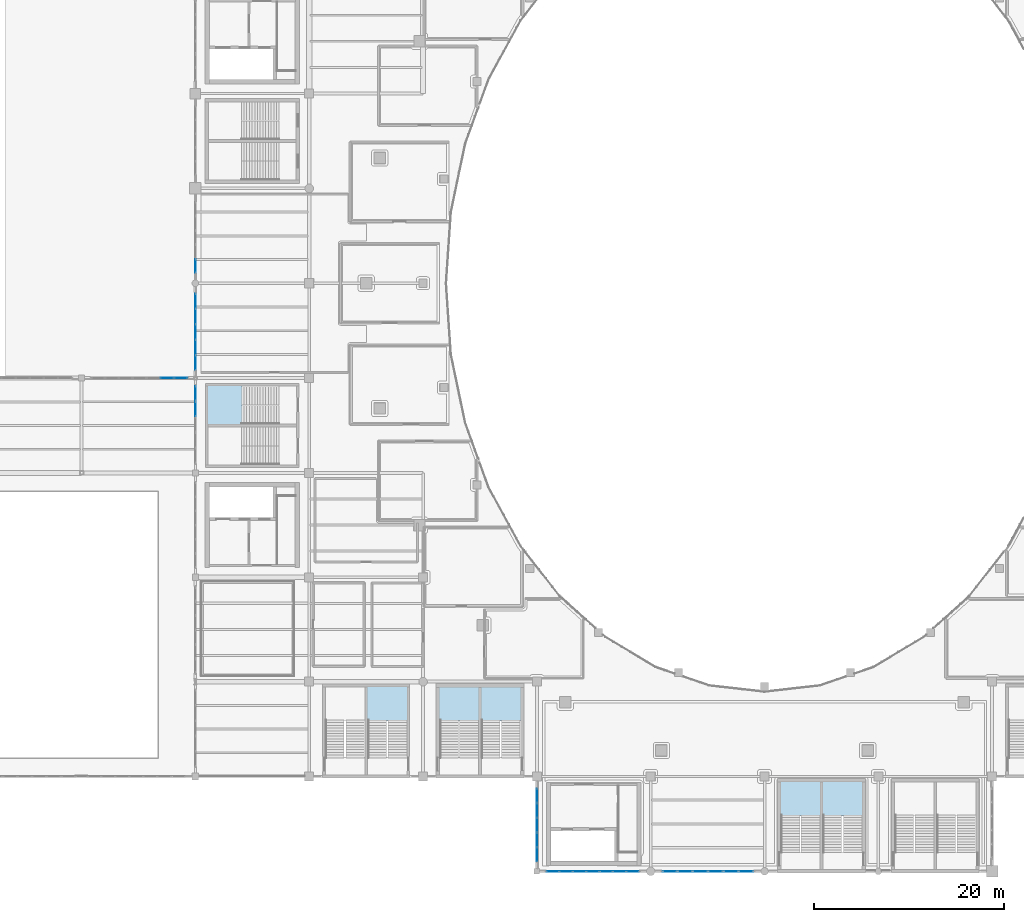
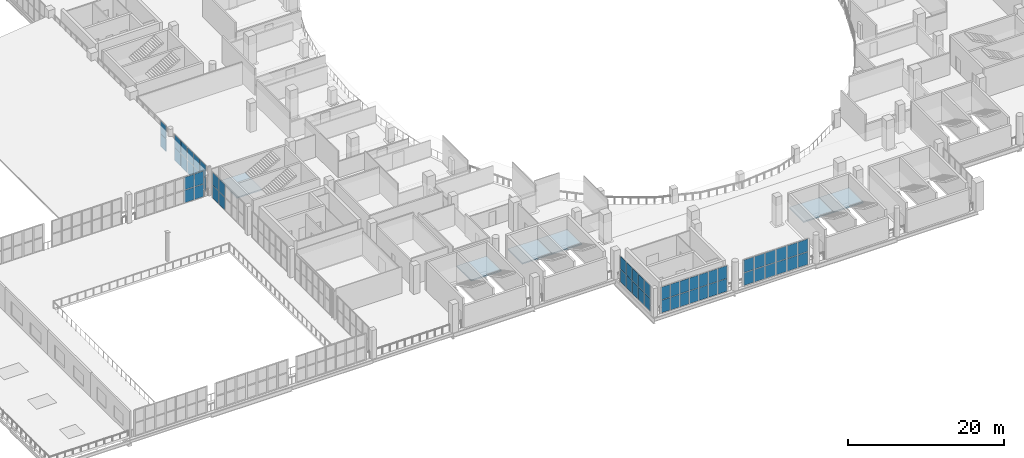
# One storey, part 52 of 90: 56 plates, 6 slabs, 13 elements without a shape of their own.
"""IFC4 building model written with IfcOpenShell, lengths in metres."""

from ifc_helpers import new_model, si_unit, direction, frame, origin, origin_2d, place, context, subcontext, project, spatial, polyline, rectangle, outline, extrude, material, layer, layer_set, type_object, element, aggregate, save


model = new_model("IFC4")

# Units and contexts
model_context = context("Model", 3, precision=1e-05, world=origin(), true_north=direction((0.0, 1.0)))
body_context = subcontext(model_context, "Body", "Model", "MODEL_VIEW")
ifc_project = project(units=[si_unit("LENGTHUNIT", "METRE"), si_unit("AREAUNIT", "SQUARE_METRE"), si_unit("VOLUMEUNIT", "CUBIC_METRE"), si_unit("PLANEANGLEUNIT", "RADIAN"), si_unit("MASSUNIT", "GRAM", prefix="KILO")], contexts=[model_context])

# Site, building, storey
site_placement = place(None, origin())
site = spatial("IfcSite", under=ifc_project, at=site_placement, CompositionType="ELEMENT")
building_placement = place(site_placement, origin())
building = spatial("IfcBuilding", under=site, at=building_placement, Name="Brinegate Civic Arena", CompositionType="ELEMENT")
storey_placement = place(building_placement, frame((0.0, 0.0, 14.699951171875)))
storey = spatial("IfcBuildingStorey", under=building, at=storey_placement, Name="L03", CompositionType="ELEMENT", Elevation=14.699951171875)

# Curtain wall, plates
ifc_material_1 = material(Name="Marine grade aluminium", Category="aluminium")
ifc_layer_1 = layer(ifc_material_1, 0.199951171875, Name="Marine grade aluminium")
ifc_layer_set_1 = layer_set([ifc_layer_1], Name="Marine grade aluminium")
curtain_wall_type_1 = type_object("IfcCurtainWallType", Name="CW-BOWL-GLAZED-01", PredefinedType="USERDEFINED", material=ifc_layer_set_1)
curtain_wall_1_placement = place(storey_placement, origin())
curtain_wall_1 = element("IfcCurtainWall", 1, at=curtain_wall_1_placement, inside=storey, type_object=curtain_wall_type_1, Name="Curtain Wall CWA-113", ObjectType="GLAZED CURTAIN WALL", PredefinedType="USERDEFINED")
ifc_material_2 = material(Name="Hurricane laminated low-E glass", Category="glass")
ifc_layer_2 = layer(ifc_material_2, 0.031982421875, Name="Hurricane laminated low-E glass")
ifc_layer_set_2 = layer_set([ifc_layer_2], Name="Hurricane laminated low-E glass")
plate_type_1 = type_object("IfcPlateType", Name="CW-PANEL-GLAZED-32", PredefinedType="CURTAIN_PANEL", material=ifc_layer_set_2)
plate_1_placement = place(storey_placement, frame((48.0, 53.629150390625, 0.065185546875), z_axis=(0.0, 0.0, 1.0), x_axis=(0.0, 1.0, 0.0)))
plate_1 = element("IfcPlate", 2, at=plate_1_placement, type_object=plate_type_1, Name="CWA-113 panel 1.1", PredefinedType="CURTAIN_PANEL", context=body_context, shape_type="SweptSolid", body=[
    extrude(rectangle(XDim=1.5341796875, YDim=0.031982421875, at=origin_2d()), origin(), (0.0, 0.0, 1.0), 1.982421875),
])
plate_2_placement = place(storey_placement, frame((48.0, 53.629150390625, 2.112548828125), z_axis=(0.0, 0.0, 1.0), x_axis=(0.0, 1.0, 0.0)))
plate_2 = element("IfcPlate", 3, at=plate_2_placement, type_object=plate_type_1, Name="CWA-113 panel 1.2", PredefinedType="CURTAIN_PANEL", context=body_context, shape_type="SweptSolid", body=[
    extrude(rectangle(XDim=1.5341796875, YDim=0.031982421875, at=origin_2d()), origin(), (0.0, 0.0, 1.0), 1.982421875),
])
plate_3_placement = place(storey_placement, frame((48.0, 55.244384765625, 0.065185546875), z_axis=(0.0, 0.0, 1.0), x_axis=(0.0, 1.0, 0.0)))
plate_3 = element("IfcPlate", 4, at=plate_3_placement, type_object=plate_type_1, Name="CWA-113 panel 2.1", PredefinedType="CURTAIN_PANEL", context=body_context, shape_type="SweptSolid", body=[
    extrude(rectangle(XDim=1.566650390625, YDim=0.031982421875, at=origin_2d()), origin(), (0.0, 0.0, 1.0), 1.982421875),
])
plate_4_placement = place(storey_placement, frame((48.0, 55.244384765625, 2.112548828125), z_axis=(0.0, 0.0, 1.0), x_axis=(0.0, 1.0, 0.0)))
plate_4 = element("IfcPlate", 5, at=plate_4_placement, type_object=plate_type_1, Name="CWA-113 panel 2.2", PredefinedType="CURTAIN_PANEL", context=body_context, shape_type="SweptSolid", body=[
    extrude(rectangle(XDim=1.566650390625, YDim=0.031982421875, at=origin_2d()), origin(), (0.0, 0.0, 1.0), 1.982421875),
])
plate_5_placement = place(storey_placement, frame((48.0, 56.8759765625, 0.065185546875), z_axis=(0.0, 0.0, 1.0), x_axis=(0.0, 1.0, 0.0)))
plate_5 = element("IfcPlate", 6, at=plate_5_placement, type_object=plate_type_1, Name="CWA-113 panel 3.1", PredefinedType="CURTAIN_PANEL", context=body_context, shape_type="SweptSolid", body=[
    extrude(rectangle(XDim=1.566650390625, YDim=0.031982421875, at=origin_2d()), origin(), (0.0, 0.0, 1.0), 1.982421875),
])
plate_6_placement = place(storey_placement, frame((48.0, 56.8759765625, 2.112548828125), z_axis=(0.0, 0.0, 1.0), x_axis=(0.0, 1.0, 0.0)))
plate_6 = element("IfcPlate", 7, at=plate_6_placement, type_object=plate_type_1, Name="CWA-113 panel 3.2", PredefinedType="CURTAIN_PANEL", context=body_context, shape_type="SweptSolid", body=[
    extrude(rectangle(XDim=1.566650390625, YDim=0.031982421875, at=origin_2d()), origin(), (0.0, 0.0, 1.0), 1.982421875),
])
plate_7_placement = place(storey_placement, frame((48.0, 58.507568359375, 0.065185546875), z_axis=(0.0, 0.0, 1.0), x_axis=(0.0, 1.0, 0.0)))
plate_7 = element("IfcPlate", 8, at=plate_7_placement, type_object=plate_type_1, Name="CWA-113 panel 4.1", PredefinedType="CURTAIN_PANEL", context=body_context, shape_type="SweptSolid", body=[
    extrude(rectangle(XDim=1.566650390625, YDim=0.031982421875, at=origin_2d()), origin(), (0.0, 0.0, 1.0), 1.982421875),
])
plate_8_placement = place(storey_placement, frame((48.0, 58.507568359375, 2.112548828125), z_axis=(0.0, 0.0, 1.0), x_axis=(0.0, 1.0, 0.0)))
plate_8 = element("IfcPlate", 9, at=plate_8_placement, type_object=plate_type_1, Name="CWA-113 panel 4.2", PredefinedType="CURTAIN_PANEL", context=body_context, shape_type="SweptSolid", body=[
    extrude(rectangle(XDim=1.566650390625, YDim=0.031982421875, at=origin_2d()), origin(), (0.0, 0.0, 1.0), 1.982421875),
])
plate_9_placement = place(storey_placement, frame((48.0, 60.123046875, 0.065185546875), z_axis=(0.0, 0.0, 1.0), x_axis=(0.0, 1.0, 0.0)))
plate_9 = element("IfcPlate", 10, at=plate_9_placement, type_object=plate_type_1, Name="CWA-113 panel 5.1", PredefinedType="CURTAIN_PANEL", context=body_context, shape_type="SweptSolid", body=[
    extrude(rectangle(XDim=1.5341796875, YDim=0.031982421875, at=origin_2d()), origin(), (0.0, 0.0, 1.0), 1.982421875),
])
plate_10_placement = place(storey_placement, frame((48.0, 60.123046875, 2.112548828125), z_axis=(0.0, 0.0, 1.0), x_axis=(0.0, 1.0, 0.0)))
plate_10 = element("IfcPlate", 11, at=plate_10_placement, type_object=plate_type_1, Name="CWA-113 panel 5.2", PredefinedType="CURTAIN_PANEL", context=body_context, shape_type="SweptSolid", body=[
    extrude(rectangle(XDim=1.5341796875, YDim=0.031982421875, at=origin_2d()), origin(), (0.0, 0.0, 1.0), 1.982421875),
])
aggregate(curtain_wall_1, [plate_1, plate_2, plate_3, plate_4, plate_5, plate_6, plate_7, plate_8, plate_9, plate_10])

ifc_layer_3 = layer(ifc_material_1, 0.25, Name="Marine grade aluminium")
ifc_layer_set_3 = layer_set([ifc_layer_3], Name="Marine grade aluminium")
curtain_wall_type_2 = type_object("IfcCurtainWallType", Name="CW-PORTAL-SOUTH-02", PredefinedType="USERDEFINED", material=ifc_layer_set_3)
curtain_wall_2_placement = place(storey_placement, origin())
curtain_wall_2 = element("IfcCurtainWall", 12, at=curtain_wall_2_placement, inside=storey, type_object=curtain_wall_type_2, Name="Curtain Wall CWA-125", ObjectType="PORTAL CURTAIN WALL", PredefinedType="USERDEFINED")
plate_11_placement = place(storey_placement, frame((85.693115234375, 0.0, 0.065185546875), z_axis=(0.0, 0.0, 1.0), x_axis=(1.0, 0.0, 0.0)))
plate_11 = element("IfcPlate", 13, at=plate_11_placement, type_object=plate_type_1, Name="CWA-125 panel 1.1", PredefinedType="CURTAIN_PANEL", context=body_context, shape_type="SweptSolid", body=[
    extrude(rectangle(XDim=1.30810546875, YDim=0.031982421875, at=origin_2d()), origin(), (0.0, 0.0, 1.0), 1.982421875),
])
plate_12_placement = place(storey_placement, frame((85.693115234375, 0.0, 2.112548828125), z_axis=(0.0, 0.0, 1.0), x_axis=(1.0, 0.0, 0.0)))
plate_12 = element("IfcPlate", 14, at=plate_12_placement, type_object=plate_type_1, Name="CWA-125 panel 1.2", PredefinedType="CURTAIN_PANEL", context=body_context, shape_type="SweptSolid", body=[
    extrude(rectangle(XDim=1.30810546875, YDim=0.031982421875, at=origin_2d()), origin(), (0.0, 0.0, 1.0), 1.982421875),
])
plate_13_placement = place(storey_placement, frame((87.08251953125, 0.0, 0.065185546875), z_axis=(0.0, 0.0, 1.0), x_axis=(1.0, 0.0, 0.0)))
plate_13 = element("IfcPlate", 15, at=plate_13_placement, type_object=plate_type_1, Name="CWA-125 panel 2.1", PredefinedType="CURTAIN_PANEL", context=body_context, shape_type="SweptSolid", body=[
    extrude(rectangle(XDim=1.3408203125, YDim=0.031982421875, at=origin_2d()), origin(), (0.0, 0.0, 1.0), 1.982421875),
])
plate_14_placement = place(storey_placement, frame((87.08251953125, 0.0, 2.112548828125), z_axis=(0.0, 0.0, 1.0), x_axis=(1.0, 0.0, 0.0)))
plate_14 = element("IfcPlate", 16, at=plate_14_placement, type_object=plate_type_1, Name="CWA-125 panel 2.2", PredefinedType="CURTAIN_PANEL", context=body_context, shape_type="SweptSolid", body=[
    extrude(rectangle(XDim=1.3408203125, YDim=0.031982421875, at=origin_2d()), origin(), (0.0, 0.0, 1.0), 1.982421875),
])
plate_15_placement = place(storey_placement, frame((88.48828125, 0.0, 0.065185546875), z_axis=(0.0, 0.0, 1.0), x_axis=(1.0, 0.0, 0.0)))
plate_15 = element("IfcPlate", 17, at=plate_15_placement, type_object=plate_type_1, Name="CWA-125 panel 3.1", PredefinedType="CURTAIN_PANEL", context=body_context, shape_type="SweptSolid", body=[
    extrude(rectangle(XDim=1.3408203125, YDim=0.031982421875, at=origin_2d()), origin(), (0.0, 0.0, 1.0), 1.982421875),
])
plate_16_placement = place(storey_placement, frame((88.48828125, 0.0, 2.112548828125), z_axis=(0.0, 0.0, 1.0), x_axis=(1.0, 0.0, 0.0)))
plate_16 = element("IfcPlate", 18, at=plate_16_placement, type_object=plate_type_1, Name="CWA-125 panel 3.2", PredefinedType="CURTAIN_PANEL", context=body_context, shape_type="SweptSolid", body=[
    extrude(rectangle(XDim=1.3408203125, YDim=0.031982421875, at=origin_2d()), origin(), (0.0, 0.0, 1.0), 1.982421875),
])
plate_17_placement = place(storey_placement, frame((89.89404296875, 0.0, 0.065185546875), z_axis=(0.0, 0.0, 1.0), x_axis=(1.0, 0.0, 0.0)))
plate_17 = element("IfcPlate", 19, at=plate_17_placement, type_object=plate_type_1, Name="CWA-125 panel 4.1", PredefinedType="CURTAIN_PANEL", context=body_context, shape_type="SweptSolid", body=[
    extrude(rectangle(XDim=1.3408203125, YDim=0.031982421875, at=origin_2d()), origin(), (0.0, 0.0, 1.0), 1.982421875),
])
plate_18_placement = place(storey_placement, frame((89.89404296875, 0.0, 2.112548828125), z_axis=(0.0, 0.0, 1.0), x_axis=(1.0, 0.0, 0.0)))
plate_18 = element("IfcPlate", 20, at=plate_18_placement, type_object=plate_type_1, Name="CWA-125 panel 4.2", PredefinedType="CURTAIN_PANEL", context=body_context, shape_type="SweptSolid", body=[
    extrude(rectangle(XDim=1.3408203125, YDim=0.031982421875, at=origin_2d()), origin(), (0.0, 0.0, 1.0), 1.982421875),
])
plate_19_placement = place(storey_placement, frame((91.2998046875, 0.0, 0.065185546875), z_axis=(0.0, 0.0, 1.0), x_axis=(1.0, 0.0, 0.0)))
plate_19 = element("IfcPlate", 21, at=plate_19_placement, type_object=plate_type_1, Name="CWA-125 panel 5.1", PredefinedType="CURTAIN_PANEL", context=body_context, shape_type="SweptSolid", body=[
    extrude(rectangle(XDim=1.3408203125, YDim=0.031982421875, at=origin_2d()), origin(), (0.0, 0.0, 1.0), 1.982421875),
])
plate_20_placement = place(storey_placement, frame((91.2998046875, 0.0, 2.112548828125), z_axis=(0.0, 0.0, 1.0), x_axis=(1.0, 0.0, 0.0)))
plate_20 = element("IfcPlate", 22, at=plate_20_placement, type_object=plate_type_1, Name="CWA-125 panel 5.2", PredefinedType="CURTAIN_PANEL", context=body_context, shape_type="SweptSolid", body=[
    extrude(rectangle(XDim=1.3408203125, YDim=0.031982421875, at=origin_2d()), origin(), (0.0, 0.0, 1.0), 1.982421875),
])
plate_21_placement = place(storey_placement, frame((92.705322265625, 0.0, 0.065185546875), z_axis=(0.0, 0.0, 1.0), x_axis=(1.0, 0.0, 0.0)))
plate_21 = element("IfcPlate", 23, at=plate_21_placement, type_object=plate_type_1, Name="CWA-125 panel 6.1", PredefinedType="CURTAIN_PANEL", context=body_context, shape_type="SweptSolid", body=[
    extrude(rectangle(XDim=1.3408203125, YDim=0.031982421875, at=origin_2d()), origin(), (0.0, 0.0, 1.0), 1.982421875),
])
plate_22_placement = place(storey_placement, frame((92.705322265625, 0.0, 2.112548828125), z_axis=(0.0, 0.0, 1.0), x_axis=(1.0, 0.0, 0.0)))
plate_22 = element("IfcPlate", 24, at=plate_22_placement, type_object=plate_type_1, Name="CWA-125 panel 6.2", PredefinedType="CURTAIN_PANEL", context=body_context, shape_type="SweptSolid", body=[
    extrude(rectangle(XDim=1.3408203125, YDim=0.031982421875, at=origin_2d()), origin(), (0.0, 0.0, 1.0), 1.982421875),
])
plate_23_placement = place(storey_placement, frame((94.094970703125, 0.0, 0.065185546875), z_axis=(0.0, 0.0, 1.0), x_axis=(1.0, 0.0, 0.0)))
plate_23 = element("IfcPlate", 25, at=plate_23_placement, type_object=plate_type_1, Name="CWA-125 panel 7.1", PredefinedType="CURTAIN_PANEL", context=body_context, shape_type="SweptSolid", body=[
    extrude(rectangle(XDim=1.30810546875, YDim=0.031982421875, at=origin_2d()), origin(), (0.0, 0.0, 1.0), 1.982421875),
])
plate_24_placement = place(storey_placement, frame((94.094970703125, 0.0, 2.112548828125), z_axis=(0.0, 0.0, 1.0), x_axis=(1.0, 0.0, 0.0)))
plate_24 = element("IfcPlate", 26, at=plate_24_placement, type_object=plate_type_1, Name="CWA-125 panel 7.2", PredefinedType="CURTAIN_PANEL", context=body_context, shape_type="SweptSolid", body=[
    extrude(rectangle(XDim=1.30810546875, YDim=0.031982421875, at=origin_2d()), origin(), (0.0, 0.0, 1.0), 1.982421875),
])
aggregate(curtain_wall_2, [plate_11, plate_12, plate_13, plate_14, plate_15, plate_16, plate_17, plate_18, plate_19, plate_20, plate_21, plate_22, plate_23, plate_24])

ifc_layer_4 = layer(ifc_material_1, 0.18505859375, Name="Marine grade aluminium")
ifc_layer_set_4 = layer_set([ifc_layer_4], Name="Marine grade aluminium")
curtain_wall_type_3 = type_object("IfcCurtainWallType", Name="CW-WING-GLAZED-03", PredefinedType="USERDEFINED", material=ifc_layer_set_4)
curtain_wall_3_placement = place(storey_placement, origin())
curtain_wall_3 = element("IfcCurtainWall", 27, at=curtain_wall_3_placement, inside=storey, type_object=curtain_wall_type_3, Name="Curtain Wall CWA-032", ObjectType="GLAZED CURTAIN WALL", PredefinedType="USERDEFINED")
ifc_layer_5 = layer(ifc_material_2, 0.035888671875, Name="Hurricane laminated low-E glass")
ifc_layer_set_5 = layer_set([ifc_layer_5], Name="Hurricane laminated low-E glass")
plate_type_2 = type_object("IfcPlateType", Name="CW-PANEL-GLAZED-36", PredefinedType="CURTAIN_PANEL", material=ifc_layer_set_5)
plate_25_placement = place(storey_placement, frame((45.018798828125, 52.0, 0.0751953125), z_axis=(0.0, 0.0, 1.0), x_axis=(1.0, 0.0, 0.0)))
plate_25 = element("IfcPlate", 28, at=plate_25_placement, type_object=plate_type_2, Name="CWA-032 panel 6.1", PredefinedType="CURTAIN_PANEL", context=body_context, shape_type="SweptSolid", body=[
    extrude(rectangle(XDim=1.381103515625, YDim=0.035888671875, at=origin_2d()), origin(), (0.0, 0.0, 1.0), 1.967529296875),
])
plate_26_placement = place(storey_placement, frame((45.018798828125, 52.0, 2.11767578125), z_axis=(0.0, 0.0, 1.0), x_axis=(1.0, 0.0, 0.0)))
plate_26 = element("IfcPlate", 29, at=plate_26_placement, type_object=plate_type_2, Name="CWA-032 panel 6.2", PredefinedType="CURTAIN_PANEL", context=body_context, shape_type="SweptSolid", body=[
    extrude(rectangle(XDim=1.381103515625, YDim=0.035888671875, at=origin_2d()), origin(), (0.0, 0.0, 1.0), 1.967529296875),
])
plate_27_placement = place(storey_placement, frame((46.456298828125, 52.0, 0.0751953125), z_axis=(0.0, 0.0, 1.0), x_axis=(1.0, 0.0, 0.0)))
plate_27 = element("IfcPlate", 30, at=plate_27_placement, type_object=plate_type_2, Name="CWA-032 panel 7.1", PredefinedType="CURTAIN_PANEL", context=body_context, shape_type="SweptSolid", body=[
    extrude(rectangle(XDim=1.34375, YDim=0.035888671875, at=origin_2d()), origin(), (0.0, 0.0, 1.0), 1.967529296875),
])
plate_28_placement = place(storey_placement, frame((46.456298828125, 52.0, 2.11767578125), z_axis=(0.0, 0.0, 1.0), x_axis=(1.0, 0.0, 0.0)))
plate_28 = element("IfcPlate", 31, at=plate_28_placement, type_object=plate_type_2, Name="CWA-032 panel 7.2", PredefinedType="CURTAIN_PANEL", context=body_context, shape_type="SweptSolid", body=[
    extrude(rectangle(XDim=1.34375, YDim=0.035888671875, at=origin_2d()), origin(), (0.0, 0.0, 1.0), 1.967529296875),
])
aggregate(curtain_wall_3, [plate_25, plate_26, plate_27, plate_28])

curtain_wall_4_placement = place(storey_placement, origin())
curtain_wall_4 = element("IfcCurtainWall", 32, at=curtain_wall_4_placement, inside=storey, type_object=curtain_wall_type_2, Name="Curtain Wall CWA-130", ObjectType="PORTAL CURTAIN WALL", PredefinedType="USERDEFINED")
plate_29_placement = place(storey_placement, frame((84.0, 1.773193359375, 0.065185546875), z_axis=(0.0, 0.0, 1.0), x_axis=(0.0, 1.0, 0.0)))
plate_29 = element("IfcPlate", 33, at=plate_29_placement, type_object=plate_type_2, Name="CWA-130 panel 1.1", PredefinedType="CURTAIN_PANEL", context=body_context, shape_type="SweptSolid", body=[
    extrude(rectangle(XDim=1.4482421875, YDim=0.035888671875, at=origin_2d()), origin(), (0.0, 0.0, 1.0), 1.982421875),
])
plate_30_placement = place(storey_placement, frame((84.0, 1.773193359375, 2.112548828125), z_axis=(0.0, 0.0, 1.0), x_axis=(0.0, 1.0, 0.0)))
plate_30 = element("IfcPlate", 34, at=plate_30_placement, type_object=plate_type_2, Name="CWA-130 panel 1.2", PredefinedType="CURTAIN_PANEL", context=body_context, shape_type="SweptSolid", body=[
    extrude(rectangle(XDim=1.4482421875, YDim=0.035888671875, at=origin_2d()), origin(), (0.0, 0.0, 1.0), 1.982421875),
])
plate_31_placement = place(storey_placement, frame((84.0, 3.315185546875, 0.065185546875), z_axis=(0.0, 0.0, 1.0), x_axis=(0.0, 1.0, 0.0)))
plate_31 = element("IfcPlate", 35, at=plate_31_placement, type_object=plate_type_2, Name="CWA-130 panel 2.1", PredefinedType="CURTAIN_PANEL", context=body_context, shape_type="SweptSolid", body=[
    extrude(rectangle(XDim=1.48583984375, YDim=0.035888671875, at=origin_2d()), origin(), (0.0, 0.0, 1.0), 1.982421875),
])
plate_32_placement = place(storey_placement, frame((84.0, 3.315185546875, 2.112548828125), z_axis=(0.0, 0.0, 1.0), x_axis=(0.0, 1.0, 0.0)))
plate_32 = element("IfcPlate", 36, at=plate_32_placement, type_object=plate_type_2, Name="CWA-130 panel 2.2", PredefinedType="CURTAIN_PANEL", context=body_context, shape_type="SweptSolid", body=[
    extrude(rectangle(XDim=1.48583984375, YDim=0.035888671875, at=origin_2d()), origin(), (0.0, 0.0, 1.0), 1.982421875),
])
plate_33_placement = place(storey_placement, frame((84.0, 4.8759765625, 0.065185546875), z_axis=(0.0, 0.0, 1.0), x_axis=(0.0, 1.0, 0.0)))
plate_33 = element("IfcPlate", 37, at=plate_33_placement, type_object=plate_type_2, Name="CWA-130 panel 3.1", PredefinedType="CURTAIN_PANEL", context=body_context, shape_type="SweptSolid", body=[
    extrude(rectangle(XDim=1.48583984375, YDim=0.035888671875, at=origin_2d()), origin(), (0.0, 0.0, 1.0), 1.982421875),
])
plate_34_placement = place(storey_placement, frame((84.0, 4.8759765625, 2.112548828125), z_axis=(0.0, 0.0, 1.0), x_axis=(0.0, 1.0, 0.0)))
plate_34 = element("IfcPlate", 38, at=plate_34_placement, type_object=plate_type_2, Name="CWA-130 panel 3.2", PredefinedType="CURTAIN_PANEL", context=body_context, shape_type="SweptSolid", body=[
    extrude(rectangle(XDim=1.48583984375, YDim=0.035888671875, at=origin_2d()), origin(), (0.0, 0.0, 1.0), 1.982421875),
])
plate_35_placement = place(storey_placement, frame((84.0, 6.436767578125, 0.065185546875), z_axis=(0.0, 0.0, 1.0), x_axis=(0.0, 1.0, 0.0)))
plate_35 = element("IfcPlate", 39, at=plate_35_placement, type_object=plate_type_2, Name="CWA-130 panel 4.1", PredefinedType="CURTAIN_PANEL", context=body_context, shape_type="SweptSolid", body=[
    extrude(rectangle(XDim=1.48583984375, YDim=0.035888671875, at=origin_2d()), origin(), (0.0, 0.0, 1.0), 1.982421875),
])
plate_36_placement = place(storey_placement, frame((84.0, 6.436767578125, 2.112548828125), z_axis=(0.0, 0.0, 1.0), x_axis=(0.0, 1.0, 0.0)))
plate_36 = element("IfcPlate", 40, at=plate_36_placement, type_object=plate_type_2, Name="CWA-130 panel 4.2", PredefinedType="CURTAIN_PANEL", context=body_context, shape_type="SweptSolid", body=[
    extrude(rectangle(XDim=1.48583984375, YDim=0.035888671875, at=origin_2d()), origin(), (0.0, 0.0, 1.0), 1.982421875),
])
plate_37_placement = place(storey_placement, frame((84.0, 7.978759765625, 0.065185546875), z_axis=(0.0, 0.0, 1.0), x_axis=(0.0, 1.0, 0.0)))
plate_37 = element("IfcPlate", 41, at=plate_37_placement, type_object=plate_type_2, Name="CWA-130 panel 5.1", PredefinedType="CURTAIN_PANEL", context=body_context, shape_type="SweptSolid", body=[
    extrude(rectangle(XDim=1.4482421875, YDim=0.035888671875, at=origin_2d()), origin(), (0.0, 0.0, 1.0), 1.982421875),
])
plate_38_placement = place(storey_placement, frame((84.0, 7.978759765625, 2.112548828125), z_axis=(0.0, 0.0, 1.0), x_axis=(0.0, 1.0, 0.0)))
plate_38 = element("IfcPlate", 42, at=plate_38_placement, type_object=plate_type_2, Name="CWA-130 panel 5.2", PredefinedType="CURTAIN_PANEL", context=body_context, shape_type="SweptSolid", body=[
    extrude(rectangle(XDim=1.4482421875, YDim=0.035888671875, at=origin_2d()), origin(), (0.0, 0.0, 1.0), 1.982421875),
])
aggregate(curtain_wall_4, [plate_29, plate_30, plate_31, plate_32, plate_33, plate_34, plate_35, plate_36, plate_37, plate_38])

curtain_wall_5_placement = place(storey_placement, origin())
curtain_wall_5 = element("IfcCurtainWall", 43, at=curtain_wall_5_placement, inside=storey, type_object=curtain_wall_type_1, Name="Curtain Wall CWA-111", ObjectType="GLAZED CURTAIN WALL", PredefinedType="USERDEFINED")
ifc_layer_6 = layer(ifc_material_2, 0.0419921875, Name="Hurricane laminated low-E glass")
ifc_layer_set_6 = layer_set([ifc_layer_6], Name="Hurricane laminated low-E glass")
plate_type_3 = type_object("IfcPlateType", Name="CW-PANEL-SPANDREL-42", PredefinedType="CURTAIN_PANEL", material=ifc_layer_set_6)
plate_39_placement = place(storey_placement, frame((48.0, 48.7451171875, 0.065185546875), z_axis=(0.0, 0.0, 1.0), x_axis=(0.0, 1.0, 0.0)))
plate_39 = element("IfcPlate", 44, at=plate_39_placement, type_object=plate_type_3, Name="CWA-111 panel 4.1", PredefinedType="CURTAIN_PANEL", context=body_context, shape_type="SweptSolid", body=[
    extrude(rectangle(XDim=1.55859375, YDim=0.0419921875, at=origin_2d()), origin(), (0.0, 0.0, 1.0), 1.982421875),
])
plate_40_placement = place(storey_placement, frame((48.0, 48.7451171875, 2.112548828125), z_axis=(0.0, 0.0, 1.0), x_axis=(0.0, 1.0, 0.0)))
plate_40 = element("IfcPlate", 45, at=plate_40_placement, type_object=plate_type_3, Name="CWA-111 panel 4.2", PredefinedType="CURTAIN_PANEL", context=body_context, shape_type="SweptSolid", body=[
    extrude(rectangle(XDim=1.55859375, YDim=0.0419921875, at=origin_2d()), origin(), (0.0, 0.0, 1.0), 1.982421875),
])
plate_41_placement = place(storey_placement, frame((48.0, 50.36376953125, 0.065185546875), z_axis=(0.0, 0.0, 1.0), x_axis=(0.0, 1.0, 0.0)))
plate_41 = element("IfcPlate", 46, at=plate_41_placement, type_object=plate_type_3, Name="CWA-111 panel 5.1", PredefinedType="CURTAIN_PANEL", context=body_context, shape_type="SweptSolid", body=[
    extrude(rectangle(XDim=1.5185546875, YDim=0.0419921875, at=origin_2d()), origin(), (0.0, 0.0, 1.0), 1.982421875),
])
plate_42_placement = place(storey_placement, frame((48.0, 50.36376953125, 2.112548828125), z_axis=(0.0, 0.0, 1.0), x_axis=(0.0, 1.0, 0.0)))
plate_42 = element("IfcPlate", 47, at=plate_42_placement, type_object=plate_type_3, Name="CWA-111 panel 5.2", PredefinedType="CURTAIN_PANEL", context=body_context, shape_type="SweptSolid", body=[
    extrude(rectangle(XDim=1.5185546875, YDim=0.0419921875, at=origin_2d()), origin(), (0.0, 0.0, 1.0), 1.982421875),
])
aggregate(curtain_wall_5, [plate_39, plate_40, plate_41, plate_42])

curtain_wall_6_placement = place(storey_placement, origin())
curtain_wall_6 = element("IfcCurtainWall", 48, at=curtain_wall_6_placement, inside=storey, type_object=curtain_wall_type_1, Name="Curtain Wall CWA-115", ObjectType="GLAZED CURTAIN WALL", PredefinedType="USERDEFINED")
plate_43_placement = place(storey_placement, frame((48.0, 63.820556640625, 0.0751953125), z_axis=(0.0, 0.0, 1.0), x_axis=(0.0, 1.0, 0.0)))
plate_43 = element("IfcPlate", 49, at=plate_43_placement, type_object=plate_type_3, Name="CWA-115 panel 1.1", PredefinedType="CURTAIN_PANEL", context=body_context, shape_type="SweptSolid", body=[
    extrude(rectangle(XDim=1.39111328125, YDim=0.0419921875, at=origin_2d()), origin(), (0.0, 0.0, 1.0), 1.967529296875),
])
plate_44_placement = place(storey_placement, frame((48.0, 63.820556640625, 2.11767578125), z_axis=(0.0, 0.0, 1.0), x_axis=(0.0, 1.0, 0.0)))
plate_44 = element("IfcPlate", 50, at=plate_44_placement, type_object=plate_type_3, Name="CWA-115 panel 1.2", PredefinedType="CURTAIN_PANEL", context=body_context, shape_type="SweptSolid", body=[
    extrude(rectangle(XDim=1.39111328125, YDim=0.0419921875, at=origin_2d()), origin(), (0.0, 0.0, 1.0), 1.967529296875),
])
aggregate(curtain_wall_6, [plate_43, plate_44])

curtain_wall_7_placement = place(storey_placement, origin())
curtain_wall_7 = element("IfcCurtainWall", 51, at=curtain_wall_7_placement, inside=storey, type_object=curtain_wall_type_2, Name="Curtain Wall CWA-127", ObjectType="PORTAL CURTAIN WALL", PredefinedType="USERDEFINED")
plate_45_placement = place(storey_placement, frame((98.01416015625, 0.0, 0.0751953125), z_axis=(0.0, 0.0, 1.0), x_axis=(1.0, 0.0, 0.0)))
plate_45 = element("IfcPlate", 52, at=plate_45_placement, type_object=plate_type_3, Name="CWA-127 panel 1.1", PredefinedType="CURTAIN_PANEL", context=body_context, shape_type="SweptSolid", body=[
    extrude(rectangle(XDim=1.496337890625, YDim=0.0419921875, at=origin_2d()), origin(), (0.0, 0.0, 1.0), 1.967529296875),
])
plate_46_placement = place(storey_placement, frame((98.01416015625, 0.0, 2.11767578125), z_axis=(0.0, 0.0, 1.0), x_axis=(1.0, 0.0, 0.0)))
plate_46 = element("IfcPlate", 53, at=plate_46_placement, type_object=plate_type_3, Name="CWA-127 panel 1.2", PredefinedType="CURTAIN_PANEL", context=body_context, shape_type="SweptSolid", body=[
    extrude(rectangle(XDim=1.496337890625, YDim=0.0419921875, at=origin_2d()), origin(), (0.0, 0.0, 1.0), 1.967529296875),
])
plate_47_placement = place(storey_placement, frame((99.610595703125, 0.0, 0.0751953125), z_axis=(0.0, 0.0, 1.0), x_axis=(1.0, 0.0, 0.0)))
plate_47 = element("IfcPlate", 54, at=plate_47_placement, type_object=plate_type_3, Name="CWA-127 panel 2.1", PredefinedType="CURTAIN_PANEL", context=body_context, shape_type="SweptSolid", body=[
    extrude(rectangle(XDim=1.536376953125, YDim=0.0419921875, at=origin_2d()), origin(), (0.0, 0.0, 1.0), 1.967529296875),
])
plate_48_placement = place(storey_placement, frame((99.610595703125, 0.0, 2.11767578125), z_axis=(0.0, 0.0, 1.0), x_axis=(1.0, 0.0, 0.0)))
plate_48 = element("IfcPlate", 55, at=plate_48_placement, type_object=plate_type_3, Name="CWA-127 panel 2.2", PredefinedType="CURTAIN_PANEL", context=body_context, shape_type="SweptSolid", body=[
    extrude(rectangle(XDim=1.536376953125, YDim=0.0419921875, at=origin_2d()), origin(), (0.0, 0.0, 1.0), 1.967529296875),
])
plate_49_placement = place(storey_placement, frame((101.226806640625, 0.0, 0.0751953125), z_axis=(0.0, 0.0, 1.0), x_axis=(1.0, 0.0, 0.0)))
plate_49 = element("IfcPlate", 56, at=plate_49_placement, type_object=plate_type_3, Name="CWA-127 panel 3.1", PredefinedType="CURTAIN_PANEL", context=body_context, shape_type="SweptSolid", body=[
    extrude(rectangle(XDim=1.536376953125, YDim=0.0419921875, at=origin_2d()), origin(), (0.0, 0.0, 1.0), 1.967529296875),
])
plate_50_placement = place(storey_placement, frame((101.226806640625, 0.0, 2.11767578125), z_axis=(0.0, 0.0, 1.0), x_axis=(1.0, 0.0, 0.0)))
plate_50 = element("IfcPlate", 57, at=plate_50_placement, type_object=plate_type_3, Name="CWA-127 panel 3.2", PredefinedType="CURTAIN_PANEL", context=body_context, shape_type="SweptSolid", body=[
    extrude(rectangle(XDim=1.536376953125, YDim=0.0419921875, at=origin_2d()), origin(), (0.0, 0.0, 1.0), 1.967529296875),
])
plate_51_placement = place(storey_placement, frame((102.84326171875, 0.0, 0.0751953125), z_axis=(0.0, 0.0, 1.0), x_axis=(1.0, 0.0, 0.0)))
plate_51 = element("IfcPlate", 58, at=plate_51_placement, type_object=plate_type_3, Name="CWA-127 panel 4.1", PredefinedType="CURTAIN_PANEL", context=body_context, shape_type="SweptSolid", body=[
    extrude(rectangle(XDim=1.536376953125, YDim=0.0419921875, at=origin_2d()), origin(), (0.0, 0.0, 1.0), 1.967529296875),
])
plate_52_placement = place(storey_placement, frame((102.84326171875, 0.0, 2.11767578125), z_axis=(0.0, 0.0, 1.0), x_axis=(1.0, 0.0, 0.0)))
plate_52 = element("IfcPlate", 59, at=plate_52_placement, type_object=plate_type_3, Name="CWA-127 panel 4.2", PredefinedType="CURTAIN_PANEL", context=body_context, shape_type="SweptSolid", body=[
    extrude(rectangle(XDim=1.536376953125, YDim=0.0419921875, at=origin_2d()), origin(), (0.0, 0.0, 1.0), 1.967529296875),
])
plate_53_placement = place(storey_placement, frame((104.45947265625, 0.0, 0.0751953125), z_axis=(0.0, 0.0, 1.0), x_axis=(1.0, 0.0, 0.0)))
plate_53 = element("IfcPlate", 60, at=plate_53_placement, type_object=plate_type_3, Name="CWA-127 panel 5.1", PredefinedType="CURTAIN_PANEL", context=body_context, shape_type="SweptSolid", body=[
    extrude(rectangle(XDim=1.536376953125, YDim=0.0419921875, at=origin_2d()), origin(), (0.0, 0.0, 1.0), 1.967529296875),
])
plate_54_placement = place(storey_placement, frame((104.45947265625, 0.0, 2.11767578125), z_axis=(0.0, 0.0, 1.0), x_axis=(1.0, 0.0, 0.0)))
plate_54 = element("IfcPlate", 61, at=plate_54_placement, type_object=plate_type_3, Name="CWA-127 panel 5.2", PredefinedType="CURTAIN_PANEL", context=body_context, shape_type="SweptSolid", body=[
    extrude(rectangle(XDim=1.536376953125, YDim=0.0419921875, at=origin_2d()), origin(), (0.0, 0.0, 1.0), 1.967529296875),
])
plate_55_placement = place(storey_placement, frame((106.055908203125, 0.0, 0.0751953125), z_axis=(0.0, 0.0, 1.0), x_axis=(1.0, 0.0, 0.0)))
plate_55 = element("IfcPlate", 62, at=plate_55_placement, type_object=plate_type_3, Name="CWA-127 panel 6.1", PredefinedType="CURTAIN_PANEL", context=body_context, shape_type="SweptSolid", body=[
    extrude(rectangle(XDim=1.496337890625, YDim=0.0419921875, at=origin_2d()), origin(), (0.0, 0.0, 1.0), 1.967529296875),
])
plate_56_placement = place(storey_placement, frame((106.055908203125, 0.0, 2.11767578125), z_axis=(0.0, 0.0, 1.0), x_axis=(1.0, 0.0, 0.0)))
plate_56 = element("IfcPlate", 63, at=plate_56_placement, type_object=plate_type_3, Name="CWA-127 panel 6.2", PredefinedType="CURTAIN_PANEL", context=body_context, shape_type="SweptSolid", body=[
    extrude(rectangle(XDim=1.496337890625, YDim=0.0419921875, at=origin_2d()), origin(), (0.0, 0.0, 1.0), 1.967529296875),
])
aggregate(curtain_wall_7, [plate_45, plate_46, plate_47, plate_48, plate_49, plate_50, plate_51, plate_52, plate_53, plate_54, plate_55, plate_56])

# Stair, slab
ifc_material_3 = material(Name="Concrete C40/50", Category="concrete")
stair_type_1 = type_object("IfcStairType", Name="STAIR-EXIT-3700", PredefinedType="HALF_TURN_STAIR", material=ifc_material_3)
stair_1_placement = place(storey_placement, origin())
stair_1 = element("IfcStair", 64, at=stair_1_placement, inside=storey, type_object=stair_type_1, Name="Protected Exit Stair ST-02B (L03)", PredefinedType="HALF_TURN_STAIR")
ifc_layer_7 = layer(ifc_material_3, 0.199951171875, Name="Concrete C40/50")
ifc_layer_set_7 = layer_set([ifc_layer_7], Name="Concrete C40/50")
slab_type = type_object("IfcSlabType", Name="SLAB-LANDING-200", PredefinedType="LANDING", material=ifc_layer_set_7)
slab_1_placement = place(storey_placement, frame((0.0, 0.0, 2.050048828125)))
slab_1 = element("IfcSlab", 65, at=slab_1_placement, type_object=slab_type, Name="ST-02B landing 1", PredefinedType="LANDING", context=body_context, shape_type="SweptSolid", body=[
    extrude(outline(polyline([(65.9951171875, 15.8798828125), (70.455078125, 15.8798828125), (70.455078125, 19.60009765625), (65.9951171875, 19.60009765625), (65.9951171875, 15.8798828125)])), origin(), (0.0, 0.0, 1.0), 0.199951171875),
])
aggregate(stair_1, [slab_1])

stair_2_placement = place(storey_placement, origin())
stair_2 = element("IfcStair", 66, at=stair_2_placement, inside=storey, type_object=stair_type_1, Name="Protected Exit Stair ST-08B (L03)", PredefinedType="HALF_TURN_STAIR")
slab_2_placement = place(storey_placement, frame((0.0, 0.0, 2.050048828125)))
slab_2 = element("IfcSlab", 67, at=slab_2_placement, type_object=slab_type, Name="ST-08B landing 1", PredefinedType="LANDING", context=body_context, shape_type="SweptSolid", body=[
    extrude(outline(polyline([(49.199951171875, 46.9951171875), (52.919921875, 46.9951171875), (52.919921875, 51.304931640625), (49.199951171875, 51.304931640625), (49.199951171875, 46.9951171875)])), origin(), (0.0, 0.0, 1.0), 0.199951171875),
])
aggregate(stair_2, [slab_2])

stair_type_2 = type_object("IfcStairType", Name="STAIR-EXIT-3850", PredefinedType="HALF_TURN_STAIR", material=ifc_material_3)
stair_3_placement = place(storey_placement, origin())
stair_3 = element("IfcStair", 68, at=stair_3_placement, inside=storey, type_object=stair_type_2, Name="Protected Exit Stair ST-12A (L03)", PredefinedType="HALF_TURN_STAIR")
slab_3_placement = place(storey_placement, frame((0.0, 0.0, 2.050048828125)))
slab_3 = element("IfcSlab", 69, at=slab_3_placement, type_object=slab_type, Name="ST-12A landing 1", PredefinedType="LANDING", context=body_context, shape_type="SweptSolid", body=[
    extrude(outline(polyline([(73.594970703125, 15.8798828125), (78.0048828125, 15.8798828125), (78.0048828125, 19.60009765625), (73.594970703125, 19.60009765625), (73.594970703125, 15.8798828125)])), origin(), (0.0, 0.0, 1.0), 0.199951171875),
])
aggregate(stair_3, [slab_3])

stair_4_placement = place(storey_placement, origin())
stair_4 = element("IfcStair", 70, at=stair_4_placement, inside=storey, type_object=stair_type_1, Name="Protected Exit Stair ST-12B (L03)", PredefinedType="HALF_TURN_STAIR")
slab_4_placement = place(storey_placement, frame((0.0, 0.0, 2.050048828125)))
slab_4 = element("IfcSlab", 71, at=slab_4_placement, type_object=slab_type, Name="ST-12B landing 1", PredefinedType="LANDING", context=body_context, shape_type="SweptSolid", body=[
    extrude(outline(polyline([(77.9951171875, 15.8798828125), (82.405029296875, 15.8798828125), (82.405029296875, 19.60009765625), (77.9951171875, 19.60009765625), (77.9951171875, 15.8798828125)])), origin(), (0.0, 0.0, 1.0), 0.199951171875),
])
aggregate(stair_4, [slab_4])

stair_5_placement = place(storey_placement, origin())
stair_5 = element("IfcStair", 72, at=stair_5_placement, inside=storey, type_object=stair_type_2, Name="Protected Exit Stair ST-16A (L03)", PredefinedType="HALF_TURN_STAIR")
slab_5_placement = place(storey_placement, frame((0.0, 0.0, 2.050048828125)))
slab_5 = element("IfcSlab", 73, at=slab_5_placement, type_object=slab_type, Name="ST-16A landing 1", PredefinedType="LANDING", context=body_context, shape_type="SweptSolid", body=[
    extrude(outline(polyline([(109.574951171875, 5.8798828125), (114.0048828125, 5.8798828125), (114.0048828125, 9.60009765625), (109.574951171875, 9.60009765625), (109.574951171875, 5.8798828125)])), origin(), (0.0, 0.0, 1.0), 0.199951171875),
])
aggregate(stair_5, [slab_5])

stair_6_placement = place(storey_placement, origin())
stair_6 = element("IfcStair", 74, at=stair_6_placement, inside=storey, type_object=stair_type_1, Name="Protected Exit Stair ST-16B (L03)", PredefinedType="HALF_TURN_STAIR")
slab_6_placement = place(storey_placement, frame((0.0, 0.0, 2.050048828125)))
slab_6 = element("IfcSlab", 75, at=slab_6_placement, type_object=slab_type, Name="ST-16B landing 1", PredefinedType="LANDING", context=body_context, shape_type="SweptSolid", body=[
    extrude(outline(polyline([(113.9951171875, 5.8798828125), (118.425048828125, 5.8798828125), (118.425048828125, 9.60009765625), (113.9951171875, 9.60009765625), (113.9951171875, 5.8798828125)])), origin(), (0.0, 0.0, 1.0), 0.199951171875),
])
aggregate(stair_6, [slab_6])

save(model, "model.ifc")
